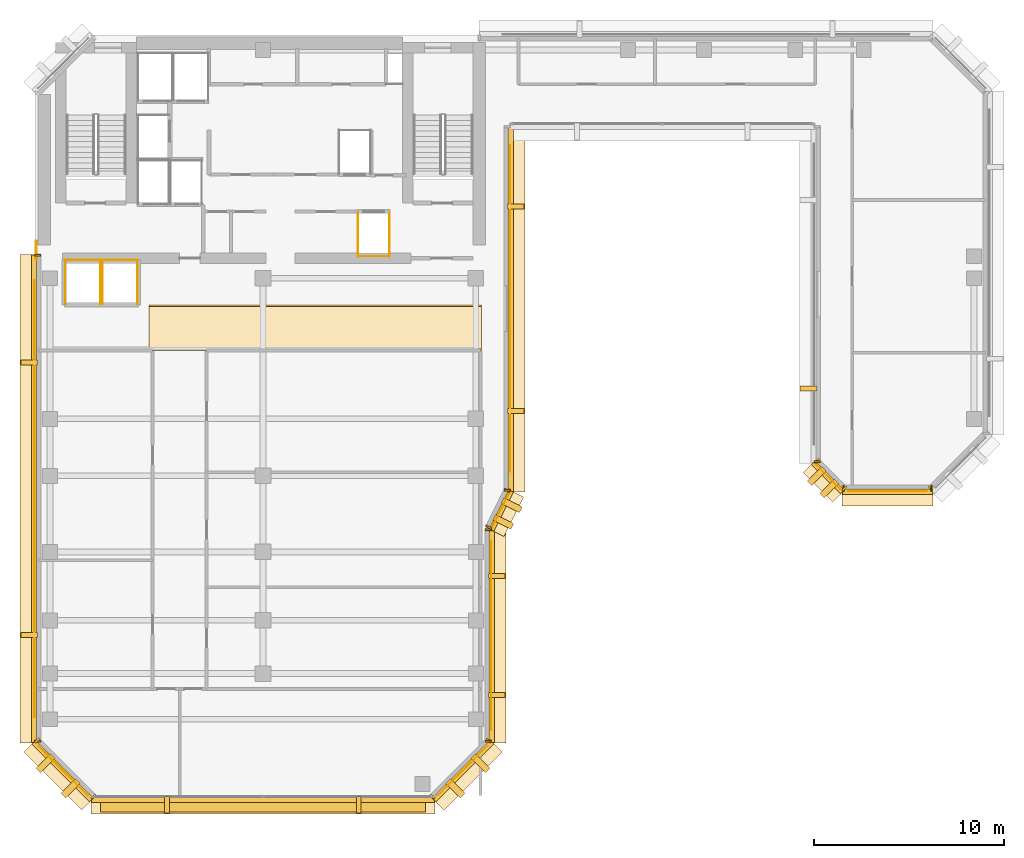
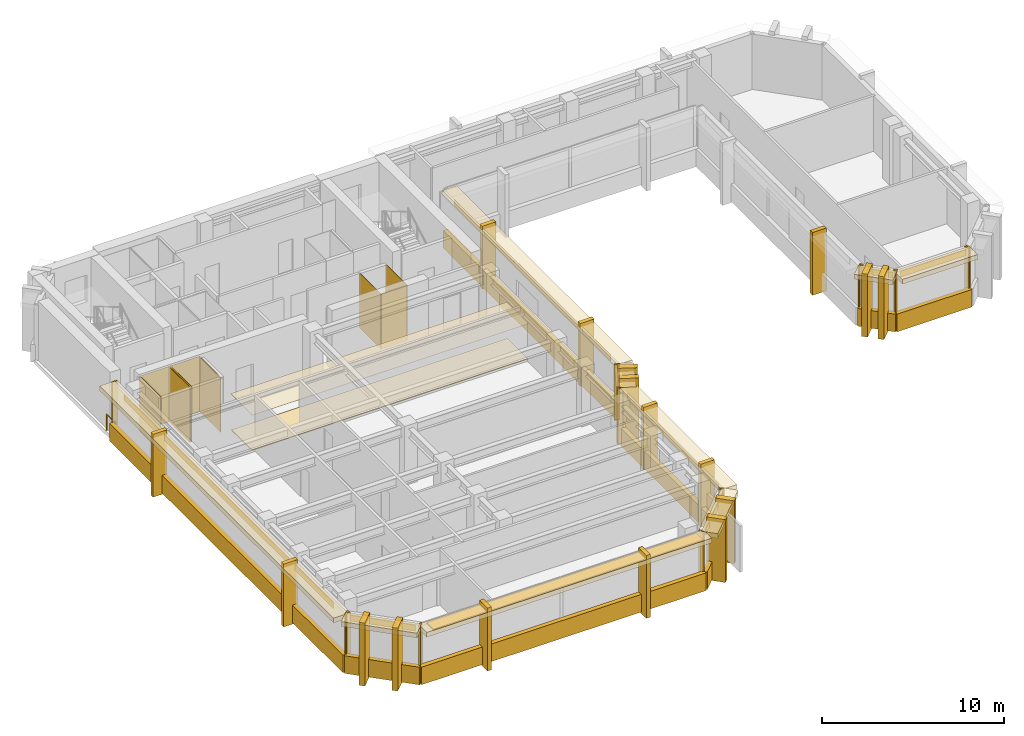
# One storey, part 8 of 11: 71 coverings, 1 railing, 1 shading device.
"""IFC4 building model written with IfcOpenShell, lengths in metres."""

from ifc_helpers import new_model, si_unit, direction, frame, origin, origin_2d, place, context, subcontext, project, spatial, polyline, rectangle, circle, outline, extrude, material, layer, layer_set, type_object, element, save


model = new_model("IFC4")

# Units and contexts
model_context = context("Model", 3, precision=1e-05, world=origin(), true_north=direction((0.0, 1.0)))
body_context = subcontext(model_context, "Body", "Model", "MODEL_VIEW")
ifc_project = project(units=[si_unit("LENGTHUNIT", "METRE"), si_unit("AREAUNIT", "SQUARE_METRE"), si_unit("VOLUMEUNIT", "CUBIC_METRE"), si_unit("PLANEANGLEUNIT", "RADIAN"), si_unit("MASSUNIT", "GRAM", prefix="KILO")], contexts=[model_context])

# Site, building, storey
site_placement = place(None, origin())
site = spatial("IfcSite", under=ifc_project, at=site_placement, CompositionType="ELEMENT")
building_placement = place(site_placement, origin())
building = spatial("IfcBuilding", under=site, at=building_placement, Name="Kefirva Bronze Tower", CompositionType="ELEMENT")
storey_placement = place(building_placement, frame((0.0, 0.0, 239.580078125)))
storey = spatial("IfcBuildingStorey", under=building, at=storey_placement, Name="L58", CompositionType="ELEMENT", Elevation=239.580078125)

# Coverings
ifc_material_1 = material(Name="Acoustic mineral tile")
ifc_layer_1 = layer(ifc_material_1, 0.02490234375, Name="Acoustic mineral tile")
ifc_layer_set_1 = layer_set([ifc_layer_1], Name="Acoustic mineral tile")
covering_type_1 = type_object("IfcCoveringType", Name="Acoustic Mineral Suspended Ceiling 25mm", PredefinedType="CEILING", material=ifc_layer_set_1)
covering_1_placement = place(storey_placement, frame((0.0, 0.0, 2.39990234375)))
element("IfcCovering", 1, at=covering_1_placement, inside=storey, type_object=covering_type_1, Name="L58 Corridor Acoustic Ceiling", PredefinedType="CEILING", context=body_context, shape_type="SweptSolid", body=[
    extrude(outline(polyline([(6.0, 29.39990234375), (23.5, 29.39990234375), (23.5, 31.800048828125), (6.0, 31.800048828125), (6.0, 29.39990234375)])), origin(), (0.0, 0.0, 1.0), 0.02490234375),
])
ifc_material_2 = material(Name="Bronze anodised aluminium", Category="aluminium")
ifc_layer_2 = layer(ifc_material_2, 0.02001953125, Name="Bronze anodised aluminium")
ifc_layer_set_2 = layer_set([ifc_layer_2], Name="Bronze anodised aluminium")
covering_type_2 = type_object("IfcCoveringType", Name="Anodised Bronze Spandrel Cladding 20mm", PredefinedType="CLADDING", material=ifc_layer_set_2)
covering_2_placement = place(storey_placement, frame((12.0, 5.760009765625, -0.16015625), z_axis=(0.0, 0.0, 1.0), x_axis=(1.0, 0.0, 0.0)))
element("IfcCovering", 2, at=covering_2_placement, inside=storey, type_object=covering_type_2, Name="L58 Streamline Horizontal Spandrel Band 0", PredefinedType="CLADDING", context=body_context, shape_type="SweptSolid", body=[
    extrude(rectangle(XDim=18.0400390625, YDim=0.280029296875, at=origin_2d()), origin(), (0.0, 0.0, 1.0), 1.179931640625),
])
covering_3_placement = place(storey_placement, frame((22.507080078125, 7.29296875, 3.2900390625), z_axis=(0.0, 0.0, 1.0), x_axis=(0.707106781187, 0.707106781187, 0.0)))
element("IfcCovering", 3, at=covering_3_placement, inside=storey, type_object=covering_type_2, Name="L58 Bronze Spandrel Cladding 1", PredefinedType="CLADDING", context=body_context, shape_type="SweptSolid", body=[
    extrude(rectangle(XDim=3.719482421875, YDim=0.02001953125, at=origin_2d()), origin(), (0.0, 0.0, 1.0), 0.39990234375),
])
for number, where, z_axis, x_axis, name in (
    (4, (20.91162109375, 5.93798828125, 0.0), (0.0, 0.0, 1.0), (0.707106781187, 0.707106781187, 0.0), "L58 Facade Joint Closure Panel 1S"),
    (5, (23.862060546875, 8.88818359375, 0.0), (0.0, 0.0, 1.0), (0.707106781187, 0.707106781187, 0.0), "L58 Facade Joint Closure Panel 1E"),
):
    element("IfcCovering", number, at=place(storey_placement, frame(where, z_axis=z_axis, x_axis=x_axis)), inside=storey, type_object=covering_type_2, Name=name, PredefinedType="CLADDING", context=body_context, shape_type="SweptSolid", body=[
        extrude(rectangle(XDim=0.10009765625, YDim=0.320068359375, at=origin_2d()), origin(), (0.0, 0.0, 1.0), 3.7099609375),
    ])
covering_4_placement = place(storey_placement, frame((22.5283203125, 7.271728515625, -0.16015625), z_axis=(0.0, 0.0, 1.0), x_axis=(0.707106781187, 0.707106781187, 0.0)))
element("IfcCovering", 6, at=covering_4_placement, inside=storey, type_object=covering_type_2, Name="L58 Streamline Horizontal Spandrel Band 1", PredefinedType="CLADDING", context=body_context, shape_type="SweptSolid", body=[
    extrude(rectangle(XDim=4.28271484375, YDim=0.280029296875, at=origin_2d()), origin(), (0.0, 0.0, 1.0), 1.179931640625),
])
covering_5_placement = place(storey_placement, frame((24.010009765625, 14.39990234375, 3.2900390625), z_axis=(0.0, 0.0, 1.0), x_axis=(0.0, 1.0, 0.0)))
element("IfcCovering", 7, at=covering_5_placement, inside=storey, type_object=covering_type_2, Name="L58 Bronze Spandrel Cladding 2", PredefinedType="CLADDING", context=body_context, shape_type="SweptSolid", body=[
    extrude(rectangle(XDim=9.98095703125, YDim=0.02001953125, at=origin_2d()), origin(), (0.0, 0.0, 1.0), 0.39990234375),
])
for number, where, z_axis, x_axis, name in (
    (8, (23.840087890625, 8.8349609375, 0.0), (0.0, 0.0, 1.0), (0.0, 1.0, 0.0), "L58 Facade Joint Closure Panel 2S"),
    (9, (23.840087890625, 19.965087890625, 0.0), (0.0, 0.0, 1.0), (0.0, 1.0, 0.0), "L58 Facade Joint Closure Panel 2E"),
):
    element("IfcCovering", number, at=place(storey_placement, frame(where, z_axis=z_axis, x_axis=x_axis)), inside=storey, type_object=covering_type_2, Name=name, PredefinedType="CLADDING", context=body_context, shape_type="SweptSolid", body=[
        extrude(rectangle(XDim=0.10009765625, YDim=0.320068359375, at=origin_2d()), origin(), (0.0, 0.0, 1.0), 3.7099609375),
    ])
covering_6_placement = place(storey_placement, frame((24.0400390625, 14.39990234375, -0.16015625), z_axis=(0.0, 0.0, 1.0), x_axis=(0.0, 1.0, 0.0)))
element("IfcCovering", 10, at=covering_6_placement, inside=storey, type_object=covering_type_2, Name="L58 Streamline Horizontal Spandrel Band 2", PredefinedType="CLADDING", context=body_context, shape_type="SweptSolid", body=[
    extrude(rectangle(XDim=11.239990234375, YDim=0.280029296875, at=origin_2d()), origin(), (0.0, 0.0, 1.0), 1.179931640625),
])
covering_7_placement = place(storey_placement, frame((24.5087890625, 20.99560546875, 3.2900390625), z_axis=(0.0, 0.0, 1.0), x_axis=(0.44721435766, 0.89442680992, 0.0)))
element("IfcCovering", 11, at=covering_7_placement, inside=storey, type_object=covering_type_2, Name="L58 Bronze Spandrel Cladding 3", PredefinedType="CLADDING", context=body_context, shape_type="SweptSolid", body=[
    extrude(rectangle(XDim=1.91357421875, YDim=0.02001953125, at=origin_2d()), origin(), (0.0, 0.0, 1.0), 0.39990234375),
])
for number, where, z_axis, x_axis, name in (
    (12, (23.87255859375, 20.102783203125, 0.0), (0.0, 0.0, 1.0), (0.44721435766, 0.89442680992, 0.0), "L58 Facade Joint Closure Panel 3S"),
    (13, (24.84130859375, 22.040283203125, 0.0), (0.0, 0.0, 1.0), (0.44721435766, 0.89442680992, 0.0), "L58 Facade Joint Closure Panel 3E"),
):
    element("IfcCovering", number, at=place(storey_placement, frame(where, z_axis=z_axis, x_axis=x_axis)), inside=storey, type_object=covering_type_2, Name=name, PredefinedType="CLADDING", context=body_context, shape_type="SweptSolid", body=[
        extrude(rectangle(XDim=0.10009765625, YDim=0.320068359375, at=origin_2d()), origin(), (0.0, 0.0, 1.0), 3.7099609375),
    ])
covering_8_placement = place(storey_placement, frame((24.535888671875, 20.982177734375, -0.16015625), z_axis=(0.0, 0.0, 1.0), x_axis=(0.44721435766, 0.89442680992, 0.0)))
element("IfcCovering", 14, at=covering_8_placement, inside=storey, type_object=covering_type_2, Name="L58 Streamline Horizontal Spandrel Band 3", PredefinedType="CLADDING", context=body_context, shape_type="SweptSolid", body=[
    extrude(rectangle(XDim=2.276123046875, YDim=0.280029296875, at=origin_2d()), origin(), (0.0, 0.0, 1.0), 1.179931640625),
])
covering_9_placement = place(storey_placement, frame((25.010009765625, 31.60009765625, 3.2900390625), z_axis=(0.0, 0.0, 1.0), x_axis=(0.0, 1.0, 0.0)))
element("IfcCovering", 15, at=covering_9_placement, inside=storey, type_object=covering_type_2, Name="L58 Bronze Spandrel Cladding 4", PredefinedType="CLADDING", context=body_context, shape_type="SweptSolid", body=[
    extrude(rectangle(XDim=17.180908203125, YDim=0.02001953125, at=origin_2d()), origin(), (0.0, 0.0, 1.0), 0.39990234375),
])
covering_10_placement = place(storey_placement, frame((24.840087890625, 22.034912109375, 0.0), z_axis=(0.0, 0.0, 1.0), x_axis=(0.0, 1.0, 0.0)))
element("IfcCovering", 16, at=covering_10_placement, inside=storey, type_object=covering_type_2, Name="L58 Facade Joint Closure Panel 4S", PredefinedType="CLADDING", context=body_context, shape_type="SweptSolid", body=[
    extrude(rectangle(XDim=0.10009765625, YDim=0.320068359375, at=origin_2d()), origin(), (0.0, 0.0, 1.0), 3.7099609375),
])
covering_11_placement = place(storey_placement, frame((25.0400390625, 31.60009765625, -0.16015625), z_axis=(0.0, 0.0, 1.0), x_axis=(0.0, 1.0, 0.0)))
element("IfcCovering", 17, at=covering_11_placement, inside=storey, type_object=covering_type_2, Name="L58 Streamline Horizontal Spandrel Band 5", PredefinedType="CLADDING", context=body_context, shape_type="SweptSolid", body=[
    extrude(rectangle(XDim=19.239990234375, YDim=0.280029296875, at=origin_2d()), origin(), (0.0, 0.0, 1.0), 1.179931640625),
])
covering_12_placement = place(storey_placement, frame((41.159912109375, 23.534912109375, 0.0), z_axis=(0.0, 0.0, 1.0), x_axis=(0.0, -1.0, 0.0)))
element("IfcCovering", 18, at=covering_12_placement, inside=storey, type_object=covering_type_2, Name="L58 Facade Joint Closure Panel 5E", PredefinedType="CLADDING", context=body_context, shape_type="SweptSolid", body=[
    extrude(rectangle(XDim=0.10009765625, YDim=0.320068359375, at=origin_2d()), origin(), (0.0, 0.0, 1.0), 3.7099609375),
])
covering_13_placement = place(storey_placement, frame((41.742919921875, 22.742919921875, 3.2900390625), z_axis=(0.0, 0.0, 1.0), x_axis=(0.707106781187, -0.707106781187, 0.0)))
element("IfcCovering", 19, at=covering_13_placement, inside=storey, type_object=covering_type_2, Name="L58 Bronze Spandrel Cladding 6", PredefinedType="CLADDING", context=body_context, shape_type="SweptSolid", body=[
    extrude(rectangle(XDim=1.810302734375, YDim=0.02001953125, at=origin_2d()), origin(), (0.0, 0.0, 1.0), 0.39990234375),
])
for number, where, z_axis, x_axis, name in (
    (20, (41.137939453125, 23.58837890625, 0.0), (0.0, 0.0, 1.0), (0.707106781187, -0.707106781187, 0.0), "L58 Facade Joint Closure Panel 6S"),
    (21, (42.58837890625, 22.137939453125, 0.0), (0.0, 0.0, 1.0), (0.707106781187, -0.707106781187, 0.0), "L58 Facade Joint Closure Panel 6E"),
):
    element("IfcCovering", number, at=place(storey_placement, frame(where, z_axis=z_axis, x_axis=x_axis)), inside=storey, type_object=covering_type_2, Name=name, PredefinedType="CLADDING", context=body_context, shape_type="SweptSolid", body=[
        extrude(rectangle(XDim=0.10009765625, YDim=0.320068359375, at=origin_2d()), origin(), (0.0, 0.0, 1.0), 3.7099609375),
    ])
covering_14_placement = place(storey_placement, frame((41.7216796875, 22.7216796875, -0.16015625), z_axis=(0.0, 0.0, 1.0), x_axis=(0.707106781187, -0.707106781187, 0.0)))
element("IfcCovering", 22, at=covering_14_placement, inside=storey, type_object=covering_type_2, Name="L58 Streamline Horizontal Spandrel Band 8", PredefinedType="CLADDING", context=body_context, shape_type="SweptSolid", body=[
    extrude(rectangle(XDim=2.161376953125, YDim=0.280029296875, at=origin_2d()), origin(), (0.0, 0.0, 1.0), 1.179931640625),
])
covering_15_placement = place(storey_placement, frame((44.85009765625, 21.989990234375, 3.2900390625), z_axis=(0.0, 0.0, 1.0), x_axis=(1.0, 0.0, 0.0)))
element("IfcCovering", 23, at=covering_15_placement, inside=storey, type_object=covering_type_2, Name="L58 Bronze Spandrel Cladding 7", PredefinedType="CLADDING", context=body_context, shape_type="SweptSolid", body=[
    extrude(rectangle(XDim=4.131103515625, YDim=0.02001953125, at=origin_2d()), origin(), (0.0, 0.0, 1.0), 0.39990234375),
])
for number, where, z_axis, x_axis, name in (
    (24, (42.534912109375, 22.159912109375, 0.0), (0.0, 0.0, 1.0), (1.0, 0.0, 0.0), "L58 Facade Joint Closure Panel 7S"),
    (25, (47.1650390625, 22.159912109375, 0.0), (0.0, 0.0, 1.0), (1.0, 0.0, 0.0), "L58 Facade Joint Closure Panel 7E"),
):
    element("IfcCovering", number, at=place(storey_placement, frame(where, z_axis=z_axis, x_axis=x_axis)), inside=storey, type_object=covering_type_2, Name=name, PredefinedType="CLADDING", context=body_context, shape_type="SweptSolid", body=[
        extrude(rectangle(XDim=0.10009765625, YDim=0.320068359375, at=origin_2d()), origin(), (0.0, 0.0, 1.0), 3.7099609375),
    ])
covering_16_placement = place(storey_placement, frame((44.85009765625, 21.9599609375, -0.16015625), z_axis=(0.0, 0.0, 1.0), x_axis=(1.0, 0.0, 0.0)))
element("IfcCovering", 26, at=covering_16_placement, inside=storey, type_object=covering_type_2, Name="L58 Streamline Horizontal Spandrel Band 9", PredefinedType="CLADDING", context=body_context, shape_type="SweptSolid", body=[
    extrude(rectangle(XDim=4.739990234375, YDim=0.280029296875, at=origin_2d()), origin(), (0.0, 0.0, 1.0), 1.179931640625),
])
covering_17_placement = place(storey_placement, frame((47.11181640625, 22.137939453125, 0.0), z_axis=(0.0, 0.0, 1.0), x_axis=(0.707106781187, 0.707106781187, 0.0)))
element("IfcCovering", 27, at=covering_17_placement, inside=storey, type_object=covering_type_2, Name="L58 Facade Joint Closure Panel 8S", PredefinedType="CLADDING", context=body_context, shape_type="SweptSolid", body=[
    extrude(rectangle(XDim=0.10009765625, YDim=0.320068359375, at=origin_2d()), origin(), (0.0, 0.0, 1.0), 3.7099609375),
])
covering_18_placement = place(storey_placement, frame((-0.010009765625, 21.597412109375, 3.2900390625), z_axis=(0.0, 0.0, 1.0), x_axis=(0.0, -1.0, 0.0)))
element("IfcCovering", 28, at=covering_18_placement, inside=storey, type_object=covering_type_2, Name="L58 Bronze Spandrel Cladding 13", PredefinedType="CLADDING", context=body_context, shape_type="SweptSolid", body=[
    extrude(rectangle(XDim=22.986083984375, YDim=0.02001953125, at=origin_2d()), origin(), (0.0, 0.0, 1.0), 0.39990234375),
])
for number, where, z_axis, x_axis, name in (
    (29, (0.159912109375, 34.4150390625, 0.0), (0.0, 0.0, 1.0), (0.0, -1.0, 0.0), "L58 Facade Joint Closure Panel 13S"),
    (30, (0.159912109375, 8.8349609375, 0.0), (0.0, 0.0, 1.0), (0.0, -1.0, 0.0), "L58 Facade Joint Closure Panel 13E"),
):
    element("IfcCovering", number, at=place(storey_placement, frame(where, z_axis=z_axis, x_axis=x_axis)), inside=storey, type_object=covering_type_2, Name=name, PredefinedType="CLADDING", context=body_context, shape_type="SweptSolid", body=[
        extrude(rectangle(XDim=0.10009765625, YDim=0.320068359375, at=origin_2d()), origin(), (0.0, 0.0, 1.0), 3.7099609375),
    ])
covering_19_placement = place(storey_placement, frame((-0.0400390625, 21.597412109375, -0.16015625), z_axis=(0.0, 0.0, 1.0), x_axis=(0.0, -1.0, 0.0)))
element("IfcCovering", 31, at=covering_19_placement, inside=storey, type_object=covering_type_2, Name="L58 Streamline Horizontal Spandrel Band 15", PredefinedType="CLADDING", context=body_context, shape_type="SweptSolid", body=[
    extrude(rectangle(XDim=25.635009765625, YDim=0.280029296875, at=origin_2d()), origin(), (0.0, 0.0, 1.0), 1.179931640625),
])
covering_20_placement = place(storey_placement, frame((1.492919921875, 7.29296875, 3.2900390625), z_axis=(0.0, 0.0, 1.0), x_axis=(0.707106781187, -0.707106781187, 0.0)))
element("IfcCovering", 32, at=covering_20_placement, inside=storey, type_object=covering_type_2, Name="L58 Bronze Spandrel Cladding 14", PredefinedType="CLADDING", context=body_context, shape_type="SweptSolid", body=[
    extrude(rectangle(XDim=3.719482421875, YDim=0.02001953125, at=origin_2d()), origin(), (0.0, 0.0, 1.0), 0.39990234375),
])
for number, where, z_axis, x_axis, name in (
    (33, (0.137939453125, 8.88818359375, 0.0), (0.0, 0.0, 1.0), (0.707106781187, -0.707106781187, 0.0), "L58 Facade Joint Closure Panel 14S"),
    (34, (3.08837890625, 5.93798828125, 0.0), (0.0, 0.0, 1.0), (0.707106781187, -0.707106781187, 0.0), "L58 Facade Joint Closure Panel 14E"),
):
    element("IfcCovering", number, at=place(storey_placement, frame(where, z_axis=z_axis, x_axis=x_axis)), inside=storey, type_object=covering_type_2, Name=name, PredefinedType="CLADDING", context=body_context, shape_type="SweptSolid", body=[
        extrude(rectangle(XDim=0.10009765625, YDim=0.320068359375, at=origin_2d()), origin(), (0.0, 0.0, 1.0), 3.7099609375),
    ])
covering_21_placement = place(storey_placement, frame((1.4716796875, 7.271728515625, -0.16015625), z_axis=(0.0, 0.0, 1.0), x_axis=(0.707106781187, -0.707106781187, 0.0)))
element("IfcCovering", 35, at=covering_21_placement, inside=storey, type_object=covering_type_2, Name="L58 Streamline Horizontal Spandrel Band 16", PredefinedType="CLADDING", context=body_context, shape_type="SweptSolid", body=[
    extrude(rectangle(XDim=4.28271484375, YDim=0.280029296875, at=origin_2d()), origin(), (0.0, 0.0, 1.0), 1.179931640625),
])
covering_22_placement = place(storey_placement, origin())
element("IfcCovering", 36, at=covering_22_placement, inside=storey, type_object=covering_type_2, Name="L58 Lift OB1 Hoistway Liner N", PredefinedType="CLADDING", context=body_context, shape_type="SweptSolid", body=[
    extrude(outline(polyline([(1.580078125, 34.139892578125), (3.469970703125, 34.139892578125), (3.469970703125, 34.159912109375), (1.580078125, 34.159912109375), (1.580078125, 34.139892578125)])), origin(), (0.0, 0.0, 1.0), 3.7099609375),
])
covering_23_placement = place(storey_placement, origin())
element("IfcCovering", 37, at=covering_23_placement, inside=storey, type_object=covering_type_2, Name="L58 Lift OB1 Hoistway Liner W", PredefinedType="CLADDING", context=body_context, shape_type="SweptSolid", body=[
    extrude(outline(polyline([(1.590087890625, 31.830078125), (1.610107421875, 31.830078125), (1.610107421875, 34.169921875), (1.590087890625, 34.169921875), (1.590087890625, 31.830078125)])), origin(), (0.0, 0.0, 1.0), 3.7099609375),
])
covering_24_placement = place(storey_placement, origin())
element("IfcCovering", 38, at=covering_24_placement, inside=storey, type_object=covering_type_2, Name="L58 Lift OB1 Hoistway Liner E", PredefinedType="CLADDING", context=body_context, shape_type="SweptSolid", body=[
    extrude(outline(polyline([(3.43994140625, 31.830078125), (3.4599609375, 31.830078125), (3.4599609375, 34.169921875), (3.43994140625, 34.169921875), (3.43994140625, 31.830078125)])), origin(), (0.0, 0.0, 1.0), 3.7099609375),
])
covering_25_placement = place(storey_placement, origin())
element("IfcCovering", 39, at=covering_25_placement, inside=storey, type_object=covering_type_2, Name="L58 Lift OB2 Hoistway Liner N", PredefinedType="CLADDING", context=body_context, shape_type="SweptSolid", body=[
    extrude(outline(polyline([(3.530029296875, 34.139892578125), (5.419921875, 34.139892578125), (5.419921875, 34.159912109375), (3.530029296875, 34.159912109375), (3.530029296875, 34.139892578125)])), origin(), (0.0, 0.0, 1.0), 3.7099609375),
])
covering_26_placement = place(storey_placement, origin())
element("IfcCovering", 40, at=covering_26_placement, inside=storey, type_object=covering_type_2, Name="L58 Lift OB2 Hoistway Liner W", PredefinedType="CLADDING", context=body_context, shape_type="SweptSolid", body=[
    extrude(outline(polyline([(3.5400390625, 31.830078125), (3.56005859375, 31.830078125), (3.56005859375, 34.169921875), (3.5400390625, 34.169921875), (3.5400390625, 31.830078125)])), origin(), (0.0, 0.0, 1.0), 3.7099609375),
])
covering_27_placement = place(storey_placement, origin())
element("IfcCovering", 41, at=covering_27_placement, inside=storey, type_object=covering_type_2, Name="L58 Lift OB2 Hoistway Liner E", PredefinedType="CLADDING", context=body_context, shape_type="SweptSolid", body=[
    extrude(outline(polyline([(5.389892578125, 31.830078125), (5.409912109375, 31.830078125), (5.409912109375, 34.169921875), (5.389892578125, 34.169921875), (5.389892578125, 31.830078125)])), origin(), (0.0, 0.0, 1.0), 3.7099609375),
])
covering_28_placement = place(storey_placement, origin())
element("IfcCovering", 42, at=covering_28_placement, inside=storey, type_object=covering_type_2, Name="L58 Lift HP1 Hoistway Liner S", PredefinedType="CLADDING", context=body_context, shape_type="SweptSolid", body=[
    extrude(outline(polyline([(16.97998046875, 34.340087890625), (18.669921875, 34.340087890625), (18.669921875, 34.360107421875), (16.97998046875, 34.360107421875), (16.97998046875, 34.340087890625)])), origin(), (0.0, 0.0, 1.0), 3.7099609375),
])
covering_29_placement = place(storey_placement, origin())
element("IfcCovering", 43, at=covering_29_placement, inside=storey, type_object=covering_type_2, Name="L58 Lift HP1 Hoistway Liner W", PredefinedType="CLADDING", context=body_context, shape_type="SweptSolid", body=[
    extrude(outline(polyline([(16.989990234375, 34.330078125), (17.010009765625, 34.330078125), (17.010009765625, 36.669921875), (16.989990234375, 36.669921875), (16.989990234375, 34.330078125)])), origin(), (0.0, 0.0, 1.0), 3.7099609375),
])
covering_30_placement = place(storey_placement, origin())
element("IfcCovering", 44, at=covering_30_placement, inside=storey, type_object=covering_type_2, Name="L58 Lift HP1 Hoistway Liner E", PredefinedType="CLADDING", context=body_context, shape_type="SweptSolid", body=[
    extrude(outline(polyline([(18.639892578125, 34.330078125), (18.659912109375, 34.330078125), (18.659912109375, 36.669921875), (18.639892578125, 36.669921875), (18.639892578125, 34.330078125)])), origin(), (0.0, 0.0, 1.0), 3.7099609375),
])

# Shading device
ifc_layer_3 = layer(ifc_material_2, 0.090087890625, Name="Bronze anodised aluminium")
ifc_layer_set_3 = layer_set([ifc_layer_3], Name="Bronze anodised aluminium")
shading_device_type = type_object("IfcShadingDeviceType", Name="Horizontal Bronze Sunshade Band 750mm", PredefinedType="JALOUSIE", material=ifc_layer_set_3)
shading_device_placement = place(storey_placement, frame((12.0, 5.5048828125, 3.60498046875), z_axis=(0.0, 0.0, 1.0), x_axis=(1.0, 0.0, 0.0)))
element("IfcShadingDevice", 45, at=shading_device_placement, inside=storey, type_object=shading_device_type, Name="L58 Horizontal Bronze Sunshade Band 0", PredefinedType="JALOUSIE", context=body_context, shape_type="SweptSolid", body=[
    extrude(rectangle(XDim=17.090087890625, YDim=0.75, at=origin_2d()), origin(), (0.0, 0.0, 1.0), 0.090087890625),
])

# Railing
ifc_material_3 = material(Name="Stainless steel 316", Category="steel")
railing_type = type_object("IfcRailingType", Name="Interior Stair Guardrail 1100mm", PredefinedType="GUARDRAIL", material=ifc_material_3)
railing_placement = place(storey_placement, frame((0.080078125, 34.199951171875, 0.0)))
element("IfcRailing", 46, at=railing_placement, inside=storey, type_object=railing_type, Name="L58 West Core Junction Guardrail", PredefinedType="GUARDRAIL", context=body_context, shape_type="SweptSolid", body=[
    extrude(circle(Radius=0.02392578125, at=origin_2d()), frame((0.0, 0.0, 1.076171875), z_axis=(0.0, 1.0, 0.0), x_axis=(-1.0, 0.0, 0.0)), (0.0, 0.0, 1.0), 0.949951171875),
    extrude(circle(Radius=0.02099609375, at=origin_2d()), origin(), (0.0, 0.0, 1.0), 1.052001953125),
    extrude(circle(Radius=0.02099609375, at=origin_2d()), frame((0.0, 0.949951171875, 0.0)), (0.0, 0.0, 1.0), 1.052001953125),
])

# Coverings
ifc_material_4 = material(Name="Calcium sulphate access tile")
ifc_layer_4 = layer(ifc_material_4, 0.044921875, Name="Calcium sulphate access tile")
ifc_layer_set_4 = layer_set([ifc_layer_4], Name="Calcium sulphate access tile")
covering_type_3 = type_object("IfcCoveringType", Name="Raised Access Office Flooring 45mm", PredefinedType="FLOORING", material=ifc_layer_set_4)
covering_31_placement = place(storey_placement, origin())
element("IfcCovering", 47, at=covering_31_placement, inside=storey, type_object=covering_type_3, Name="L58 Architectural Finish Flooring", PredefinedType="FLOORING", context=body_context, shape_type="SweptSolid", body=[
    extrude(outline(polyline([(6.0, 29.47998046875), (23.5, 29.47998046875), (23.5, 31.719970703125), (6.0, 31.719970703125), (6.0, 29.47998046875)])), origin(), (0.0, 0.0, 1.0), 0.044921875),
])
ifc_layer_5 = layer(ifc_material_2, 0.179931640625, Name="Bronze anodised aluminium")
ifc_layer_set_5 = layer_set([ifc_layer_5], Name="Bronze anodised aluminium")
covering_type_4 = type_object("IfcCoveringType", Name="Streamline Bronze Sunshade Eyebrow Cladding 180mm", PredefinedType="CLADDING", material=ifc_layer_set_5)
covering_32_placement = place(storey_placement, frame((12.0, 5.489990234375, 3.3896484375), z_axis=(0.0, 0.0, 1.0), x_axis=(1.0, 0.0, 0.0)))
element("IfcCovering", 48, at=covering_32_placement, inside=storey, type_object=covering_type_4, Name="L58 Streamline Bronze Sunshade Eyebrow 0", PredefinedType="CLADDING", context=body_context, shape_type="SweptSolid", body=[
    extrude(rectangle(XDim=18.080078125, YDim=0.93994140625, at=origin_2d()), origin(), (0.0, 0.0, 1.0), 0.320068359375),
])
covering_33_placement = place(storey_placement, frame((22.71923828125, 7.080810546875, 3.3896484375), z_axis=(0.0, 0.0, 1.0), x_axis=(0.707106781187, 0.707106781187, 0.0)))
element("IfcCovering", 49, at=covering_33_placement, inside=storey, type_object=covering_type_4, Name="L58 Streamline Bronze Sunshade Eyebrow 1", PredefinedType="CLADDING", context=body_context, shape_type="SweptSolid", body=[
    extrude(rectangle(XDim=4.322509765625, YDim=0.93994140625, at=origin_2d()), origin(), (0.0, 0.0, 1.0), 0.320068359375),
])
covering_34_placement = place(storey_placement, frame((24.31005859375, 14.39990234375, 3.3896484375), z_axis=(0.0, 0.0, 1.0), x_axis=(0.0, 1.0, 0.0)))
element("IfcCovering", 50, at=covering_34_placement, inside=storey, type_object=covering_type_4, Name="L58 Streamline Bronze Sunshade Eyebrow 2", PredefinedType="CLADDING", context=body_context, shape_type="SweptSolid", body=[
    extrude(rectangle(XDim=11.280029296875, YDim=0.93994140625, at=origin_2d()), origin(), (0.0, 0.0, 1.0), 0.320068359375),
])
covering_35_placement = place(storey_placement, frame((24.77734375, 20.861328125, 3.3896484375), z_axis=(0.0, 0.0, 1.0), x_axis=(0.44721435766, 0.89442680992, 0.0)))
element("IfcCovering", 51, at=covering_35_placement, inside=storey, type_object=covering_type_4, Name="L58 Streamline Bronze Sunshade Eyebrow 3", PredefinedType="CLADDING", context=body_context, shape_type="SweptSolid", body=[
    extrude(rectangle(XDim=2.316162109375, YDim=0.93994140625, at=origin_2d()), origin(), (0.0, 0.0, 1.0), 0.320068359375),
])
covering_36_placement = place(storey_placement, frame((25.31005859375, 31.60009765625, 3.3896484375), z_axis=(0.0, 0.0, 1.0), x_axis=(0.0, 1.0, 0.0)))
element("IfcCovering", 52, at=covering_36_placement, inside=storey, type_object=covering_type_4, Name="L58 Streamline Bronze Sunshade Eyebrow 5", PredefinedType="CLADDING", context=body_context, shape_type="SweptSolid", body=[
    extrude(rectangle(XDim=19.280029296875, YDim=0.93994140625, at=origin_2d()), origin(), (0.0, 0.0, 1.0), 0.320068359375),
])
covering_37_placement = place(storey_placement, frame((41.53076171875, 22.53076171875, 3.3896484375), z_axis=(0.0, 0.0, 1.0), x_axis=(0.707106781187, -0.707106781187, 0.0)))
element("IfcCovering", 53, at=covering_37_placement, inside=storey, type_object=covering_type_4, Name="L58 Streamline Bronze Sunshade Eyebrow 8", PredefinedType="CLADDING", context=body_context, shape_type="SweptSolid", body=[
    extrude(rectangle(XDim=2.201416015625, YDim=0.93994140625, at=origin_2d()), origin(), (0.0, 0.0, 1.0), 0.320068359375),
])
covering_38_placement = place(storey_placement, frame((44.85009765625, 21.68994140625, 3.3896484375), z_axis=(0.0, 0.0, 1.0), x_axis=(1.0, 0.0, 0.0)))
element("IfcCovering", 54, at=covering_38_placement, inside=storey, type_object=covering_type_4, Name="L58 Streamline Bronze Sunshade Eyebrow 9", PredefinedType="CLADDING", context=body_context, shape_type="SweptSolid", body=[
    extrude(rectangle(XDim=4.780029296875, YDim=0.93994140625, at=origin_2d()), origin(), (0.0, 0.0, 1.0), 0.320068359375),
])
covering_39_placement = place(storey_placement, frame((-0.31005859375, 21.597412109375, 3.3896484375), z_axis=(0.0, 0.0, 1.0), x_axis=(0.0, -1.0, 0.0)))
element("IfcCovering", 55, at=covering_39_placement, inside=storey, type_object=covering_type_4, Name="L58 Streamline Bronze Sunshade Eyebrow 15", PredefinedType="CLADDING", context=body_context, shape_type="SweptSolid", body=[
    extrude(rectangle(XDim=25.675048828125, YDim=0.93994140625, at=origin_2d()), origin(), (0.0, 0.0, 1.0), 0.320068359375),
])
covering_40_placement = place(storey_placement, frame((1.28076171875, 7.080810546875, 3.3896484375), z_axis=(0.0, 0.0, 1.0), x_axis=(0.707106781187, -0.707106781187, 0.0)))
element("IfcCovering", 56, at=covering_40_placement, inside=storey, type_object=covering_type_4, Name="L58 Streamline Bronze Sunshade Eyebrow 16", PredefinedType="CLADDING", context=body_context, shape_type="SweptSolid", body=[
    extrude(rectangle(XDim=4.322509765625, YDim=0.93994140625, at=origin_2d()), origin(), (0.0, 0.0, 1.0), 0.320068359375),
])
ifc_layer_6 = layer(ifc_material_2, 0.260009765625, Name="Bronze anodised aluminium")
ifc_layer_set_6 = layer_set([ifc_layer_6], Name="Bronze anodised aluminium")
covering_type_5 = type_object("IfcCoveringType", Name="Unbroken Bronze Buttress Fin Cladding 260mm", PredefinedType="CLADDING", material=ifc_layer_set_6)
for number, where, z_axis, x_axis, name in (
    (57, (6.9599609375, 5.5, -0.25), (0.0, 0.0, 1.0), (1.0, 0.0, 0.0), "L58 Unbroken Vertical Bronze Rib Fin 1"),
    (58, (17.0400390625, 5.5, -0.25), (0.0, 0.0, 1.0), (1.0, 0.0, 0.0), "L58 Unbroken Vertical Bronze Rib Fin 2"),
):
    element("IfcCovering", number, at=place(storey_placement, frame(where, z_axis=z_axis, x_axis=x_axis)), inside=storey, type_object=covering_type_5, Name=name, PredefinedType="CLADDING", context=body_context, shape_type="SweptSolid", body=[
        extrude(rectangle(XDim=0.260009765625, YDim=0.8798828125, at=origin_2d()), origin(), (0.0, 0.0, 1.0), 4.2099609375),
    ])
for number, where, z_axis, x_axis, name in (
    (59, (22.122802734375, 6.357177734375, -0.25), (0.0, 0.0, 1.0), (0.707106781187, 0.707106781187, 0.0), "L58 Chamfered Corner Buttress Fin Cladding 3"),
    (60, (23.44287109375, 7.67724609375, -0.25), (0.0, 0.0, 1.0), (0.707106781187, 0.707106781187, 0.0), "L58 Chamfered Corner Buttress Fin Cladding 4"),
):
    element("IfcCovering", number, at=place(storey_placement, frame(where, z_axis=z_axis, x_axis=x_axis)), inside=storey, type_object=covering_type_5, Name=name, PredefinedType="CLADDING", context=body_context, shape_type="SweptSolid", body=[
        extrude(rectangle(XDim=0.340087890625, YDim=1.080078125, at=origin_2d()), origin(), (0.0, 0.0, 1.0), 4.2099609375),
    ])
for number, where, z_axis, x_axis, name in (
    (61, (24.300048828125, 11.263916015625, -0.25), (0.0, 0.0, 1.0), (0.0, 1.0, 0.0), "L58 Unbroken Vertical Bronze Rib Fin 5"),
    (62, (24.300048828125, 17.535888671875, -0.25), (0.0, 0.0, 1.0), (0.0, 1.0, 0.0), "L58 Unbroken Vertical Bronze Rib Fin 6"),
):
    element("IfcCovering", number, at=place(storey_placement, frame(where, z_axis=z_axis, x_axis=x_axis)), inside=storey, type_object=covering_type_5, Name=name, PredefinedType="CLADDING", context=body_context, shape_type="SweptSolid", body=[
        extrude(rectangle(XDim=0.260009765625, YDim=0.8798828125, at=origin_2d()), origin(), (0.0, 0.0, 1.0), 4.2099609375),
    ])
for number, where, z_axis, x_axis, name in (
    (63, (24.6376953125, 20.381103515625, -0.25), (0.0, 0.0, 1.0), (0.44721435766, 0.89442680992, 0.0), "L58 Chamfered Corner Buttress Fin Cladding 7"),
    (64, (25.077880859375, 21.260986328125, -0.25), (0.0, 0.0, 1.0), (0.44721435766, 0.89442680992, 0.0), "L58 Chamfered Corner Buttress Fin Cladding 8"),
):
    element("IfcCovering", number, at=place(storey_placement, frame(where, z_axis=z_axis, x_axis=x_axis)), inside=storey, type_object=covering_type_5, Name=name, PredefinedType="CLADDING", context=body_context, shape_type="SweptSolid", body=[
        extrude(rectangle(XDim=0.340087890625, YDim=1.080078125, at=origin_2d()), origin(), (0.0, 0.0, 1.0), 4.2099609375),
    ])
for number, where, z_axis, x_axis, name in (
    (65, (25.300048828125, 26.22412109375, -0.25), (0.0, 0.0, 1.0), (0.0, 1.0, 0.0), "L58 Unbroken Vertical Bronze Rib Fin 9"),
    (66, (25.300048828125, 36.97607421875, -0.25), (0.0, 0.0, 1.0), (0.0, 1.0, 0.0), "L58 Unbroken Vertical Bronze Rib Fin 10"),
    (67, (40.699951171875, 27.39404296875, -0.25), (0.0, 0.0, 1.0), (0.0, -1.0, 0.0), "L58 Unbroken Vertical Bronze Rib Fin 14"),
):
    element("IfcCovering", number, at=place(storey_placement, frame(where, z_axis=z_axis, x_axis=x_axis)), inside=storey, type_object=covering_type_5, Name=name, PredefinedType="CLADDING", context=body_context, shape_type="SweptSolid", body=[
        extrude(rectangle(XDim=0.260009765625, YDim=0.8798828125, at=origin_2d()), origin(), (0.0, 0.0, 1.0), 4.2099609375),
    ])
for number, where, z_axis, x_axis, name in (
    (68, (41.13720703125, 22.797119140625, -0.25), (0.0, 0.0, 1.0), (0.707106781187, -0.707106781187, 0.0), "L58 Chamfered Corner Buttress Fin Cladding 15"),
    (69, (41.797119140625, 22.13720703125, -0.25), (0.0, 0.0, 1.0), (0.707106781187, -0.707106781187, 0.0), "L58 Chamfered Corner Buttress Fin Cladding 16"),
):
    element("IfcCovering", number, at=place(storey_placement, frame(where, z_axis=z_axis, x_axis=x_axis)), inside=storey, type_object=covering_type_5, Name=name, PredefinedType="CLADDING", context=body_context, shape_type="SweptSolid", body=[
        extrude(rectangle(XDim=0.340087890625, YDim=1.080078125, at=origin_2d()), origin(), (0.0, 0.0, 1.0), 4.2099609375),
    ])
for number, where, z_axis, x_axis, name in (
    (70, (-0.300048828125, 28.76416015625, -0.25), (0.0, 0.0, 1.0), (0.0, -1.0, 0.0), "L58 Unbroken Vertical Bronze Rib Fin 27"),
    (71, (-0.300048828125, 14.430908203125, -0.25), (0.0, 0.0, 1.0), (0.0, -1.0, 0.0), "L58 Unbroken Vertical Bronze Rib Fin 28"),
):
    element("IfcCovering", number, at=place(storey_placement, frame(where, z_axis=z_axis, x_axis=x_axis)), inside=storey, type_object=covering_type_5, Name=name, PredefinedType="CLADDING", context=body_context, shape_type="SweptSolid", body=[
        extrude(rectangle(XDim=0.260009765625, YDim=0.8798828125, at=origin_2d()), origin(), (0.0, 0.0, 1.0), 4.2099609375),
    ])
for number, where, z_axis, x_axis, name in (
    (72, (0.55712890625, 7.67724609375, -0.25), (0.0, 0.0, 1.0), (0.707106781187, -0.707106781187, 0.0), "L58 Chamfered Corner Buttress Fin Cladding 29"),
    (73, (1.877197265625, 6.357177734375, -0.25), (0.0, 0.0, 1.0), (0.707106781187, -0.707106781187, 0.0), "L58 Chamfered Corner Buttress Fin Cladding 30"),
):
    element("IfcCovering", number, at=place(storey_placement, frame(where, z_axis=z_axis, x_axis=x_axis)), inside=storey, type_object=covering_type_5, Name=name, PredefinedType="CLADDING", context=body_context, shape_type="SweptSolid", body=[
        extrude(rectangle(XDim=0.340087890625, YDim=1.080078125, at=origin_2d()), origin(), (0.0, 0.0, 1.0), 4.2099609375),
    ])

save(model, "model.ifc")
